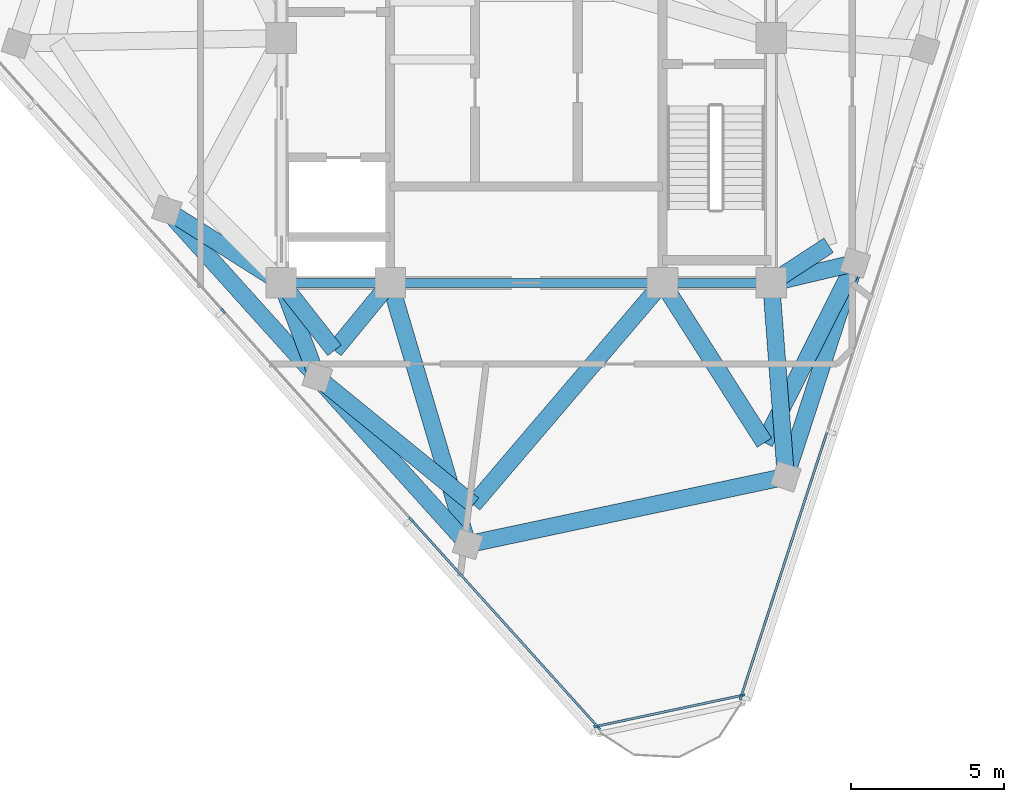
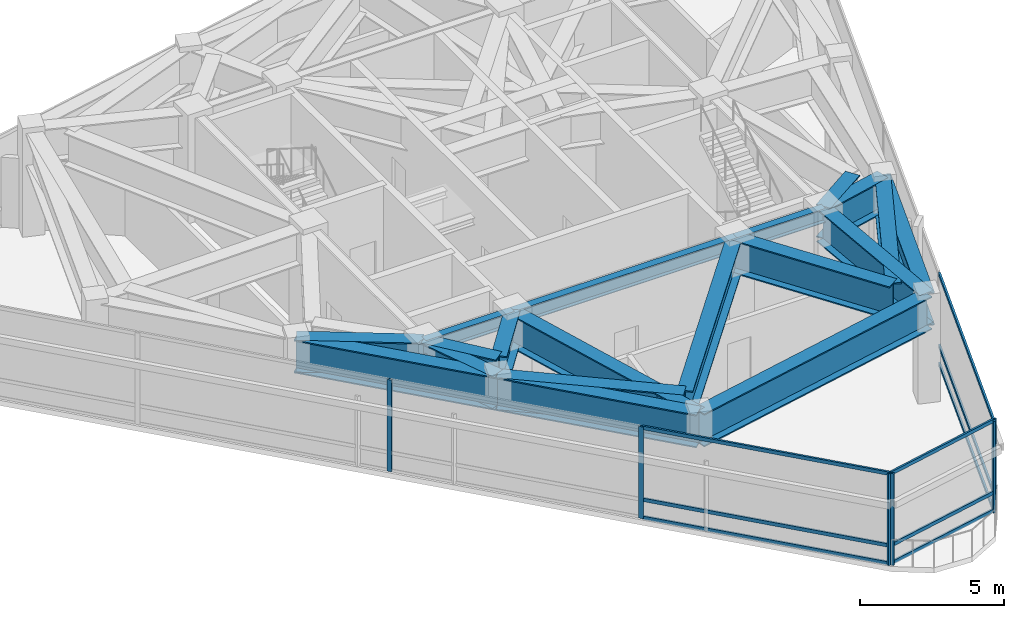
# One storey, part 2 of 10: 19 beams, 15 members, 3 elements without a shape of their own.
"""IFC4 building model written with IfcOpenShell, lengths in metres."""

from ifc_helpers import new_model, si_unit, direction, frame, origin, origin_2d, place, context, subcontext, project, spatial, rectangle, i_section, extrude, material, layer, layer_set, material_profile, profile_set, type_object, element, aggregate, save


model = new_model("IFC4")

# Units and contexts
model_context = context("Model", 3, precision=1e-05, world=origin(), true_north=direction((0.0, 1.0)))
body_context = subcontext(model_context, "Body", "Model", "MODEL_VIEW")
ifc_project = project(units=[si_unit("LENGTHUNIT", "METRE"), si_unit("AREAUNIT", "SQUARE_METRE"), si_unit("VOLUMEUNIT", "CUBIC_METRE"), si_unit("PLANEANGLEUNIT", "RADIAN"), si_unit("MASSUNIT", "GRAM", prefix="KILO")], contexts=[model_context])

# Site, building, storey
site_placement = place(None, origin())
site = spatial("IfcSite", under=ifc_project, at=site_placement, CompositionType="ELEMENT")
building_placement = place(site_placement, origin())
building = spatial("IfcBuilding", under=site, at=building_placement, Name="Terralouvre Media Tower", CompositionType="ELEMENT")
storey_placement = place(building_placement, frame((0.0, 0.0, 317.39990234375)))
storey = spatial("IfcBuildingStorey", under=building, at=storey_placement, Name="L82", CompositionType="ELEMENT", Elevation=317.39990234375)

# Curtain wall, members
ifc_material_1 = material(Name="Low-iron laminated double glazing with solar-control coating", Category="glass")
ifc_layer_1 = layer(ifc_material_1, 0.1650390625, Name="Faceted Glass-Point Crown Curtain Wall CW-06")
ifc_layer_set_1 = layer_set([ifc_layer_1], Name="Low-iron laminated double glazing with solar-control coating")
curtain_wall_type_1 = type_object("IfcCurtainWallType", Name="Faceted Glass-Point Crown Curtain Wall CW-06", PredefinedType="NOTDEFINED", material=ifc_layer_set_1)
curtain_wall_1_placement = place(storey_placement, origin())
curtain_wall_1 = element("IfcCurtainWall", 1, at=curtain_wall_1_placement, inside=storey, type_object=curtain_wall_type_1, Name="L82 Facade Curtain Wall F0", PredefinedType="NOTDEFINED")
ifc_material_2 = material(Name="Anodised extruded aluminium 6063-T6", Category="aluminium")
ifc_material_profile_1 = material_profile(ifc_material_2, rectangle(XDim=0.074951171875, YDim=0.14990234375, at=origin_2d()), Name="ALU 75x150")
ifc_profile_set_1 = profile_set([ifc_material_profile_1], Name="Anodised extruded aluminium 6063-T6")
member_type_1 = type_object("IfcMemberType", Name="Curtain-Wall Horizontal Transom TR-150", PredefinedType="USERDEFINED", material=ifc_profile_set_1)
member_1_placement = place(storey_placement, frame((7.02490234375, -21.498046875, 0.03759765625), z_axis=(0.309025765683, 0.95105366628, 0.0), x_axis=(-0.95105366628, 0.309025765683, 0.0)))
member_1 = element("IfcMember", 2, at=member_1_placement, type_object=member_type_1, Name="CW-06 transom 1.1", ObjectType="TRANSOM", PredefinedType="USERDEFINED", context=body_context, shape_type="SweptSolid", body=[
    extrude(rectangle(XDim=0.074951171875, YDim=0.14990234375, at=origin_2d()), origin(), (0.0, 0.0, 1.0), 9.0625),
])
member_2_placement = place(storey_placement, frame((7.02490234375, -21.498046875, 0.800048828125), z_axis=(0.309025765683, 0.95105366628, 0.0), x_axis=(-0.95105366628, 0.309025765683, 0.0)))
member_2 = element("IfcMember", 3, at=member_2_placement, type_object=member_type_1, Name="CW-06 transom 1.2", ObjectType="TRANSOM", PredefinedType="USERDEFINED", context=body_context, shape_type="SweptSolid", body=[
    extrude(rectangle(XDim=0.074951171875, YDim=0.14990234375, at=origin_2d()), origin(), (0.0, 0.0, 1.0), 9.0625),
])
member_3_placement = place(storey_placement, frame((7.02490234375, -21.498046875, 3.842529296875), z_axis=(0.309025765683, 0.95105366628, 0.0), x_axis=(-0.95105366628, 0.309025765683, 0.0)))
member_3 = element("IfcMember", 4, at=member_3_placement, type_object=member_type_1, Name="CW-06 transom 1.3", ObjectType="TRANSOM", PredefinedType="USERDEFINED", context=body_context, shape_type="SweptSolid", body=[
    extrude(rectangle(XDim=0.074951171875, YDim=0.14990234375, at=origin_2d()), origin(), (0.0, 0.0, 1.0), 9.0625),
])

curtain_wall_2_placement = place(storey_placement, origin())
curtain_wall_2 = element("IfcCurtainWall", 5, at=curtain_wall_2_placement, inside=storey, type_object=curtain_wall_type_1, Name="L82 Facade Curtain Wall F2", PredefinedType="NOTDEFINED")
member_4_placement = place(storey_placement, frame((-3.737548828125, -15.761962890625, 0.03759765625), z_axis=(0.669122483598, -0.743152139163, 0.0), x_axis=(0.743152139163, 0.669122483598, 0.0)))
member_4 = element("IfcMember", 6, at=member_4_placement, type_object=member_type_1, Name="CW-06 transom 4.1", ObjectType="TRANSOM", PredefinedType="USERDEFINED", context=body_context, shape_type="SweptSolid", body=[
    extrude(rectangle(XDim=0.074951171875, YDim=0.14990234375, at=origin_2d()), origin(), (0.0, 0.0, 1.0), 9.0625),
])
member_5_placement = place(storey_placement, frame((-3.737548828125, -15.761962890625, 0.800048828125), z_axis=(0.669122483598, -0.743152139163, 0.0), x_axis=(0.743152139163, 0.669122483598, 0.0)))
member_5 = element("IfcMember", 7, at=member_5_placement, type_object=member_type_1, Name="CW-06 transom 4.2", ObjectType="TRANSOM", PredefinedType="USERDEFINED", context=body_context, shape_type="SweptSolid", body=[
    extrude(rectangle(XDim=0.074951171875, YDim=0.14990234375, at=origin_2d()), origin(), (0.0, 0.0, 1.0), 9.0625),
])
member_6_placement = place(storey_placement, frame((-3.737548828125, -15.761962890625, 3.842529296875), z_axis=(0.669122483598, -0.743152139163, 0.0), x_axis=(0.743152139163, 0.669122483598, 0.0)))
member_6 = element("IfcMember", 8, at=member_6_placement, type_object=member_type_1, Name="CW-06 transom 4.3", ObjectType="TRANSOM", PredefinedType="USERDEFINED", context=body_context, shape_type="SweptSolid", body=[
    extrude(rectangle(XDim=0.074951171875, YDim=0.14990234375, at=origin_2d()), origin(), (0.0, 0.0, 1.0), 9.0625),
])

ifc_material_3 = material(Name="Low-iron laminated double glazing with solar-control coating", Category="glass")
ifc_layer_2 = layer(ifc_material_3, 0.1650390625, Name="Rounded Wind-Corner Curved Glazing CW-04")
ifc_layer_set_2 = layer_set([ifc_layer_2], Name="Low-iron laminated double glazing with solar-control coating")
curtain_wall_type_2 = type_object("IfcCurtainWallType", Name="Rounded Wind-Corner Curved Glazing CW-04", PredefinedType="NOTDEFINED", material=ifc_layer_set_2)
curtain_wall_3_placement = place(storey_placement, origin())
curtain_wall_3 = element("IfcCurtainWall", 9, at=curtain_wall_3_placement, inside=storey, type_object=curtain_wall_type_2, Name="L82 Rounded Wind-Corner Curtain Wall C0", PredefinedType="NOTDEFINED")
member_7_placement = place(storey_placement, frame((2.331787109375, -22.480224609375, 0.03759765625), z_axis=(0.978147441256, 0.207912441101, 0.0), x_axis=(-0.207912441101, 0.978147441256, 0.0)))
member_7 = element("IfcMember", 10, at=member_7_placement, type_object=member_type_1, Name="CW-04 transom 1.1", ObjectType="TRANSOM", PredefinedType="USERDEFINED", context=body_context, shape_type="SweptSolid", body=[
    extrude(rectangle(XDim=0.074951171875, YDim=0.14990234375, at=origin_2d()), origin(), (0.0, 0.0, 1.0), 4.7861328125),
])
member_8_placement = place(storey_placement, frame((2.331787109375, -22.480224609375, 0.800048828125), z_axis=(0.978147441256, 0.207912441101, 0.0), x_axis=(-0.207912441101, 0.978147441256, 0.0)))
member_8 = element("IfcMember", 11, at=member_8_placement, type_object=member_type_1, Name="CW-04 transom 1.2", ObjectType="TRANSOM", PredefinedType="USERDEFINED", context=body_context, shape_type="SweptSolid", body=[
    extrude(rectangle(XDim=0.074951171875, YDim=0.14990234375, at=origin_2d()), origin(), (0.0, 0.0, 1.0), 4.7861328125),
])
member_9_placement = place(storey_placement, frame((2.331787109375, -22.480224609375, 3.842529296875), z_axis=(0.978147441256, 0.207912441101, 0.0), x_axis=(-0.207912441101, 0.978147441256, 0.0)))
member_9 = element("IfcMember", 12, at=member_9_placement, type_object=member_type_1, Name="CW-04 transom 1.3", ObjectType="TRANSOM", PredefinedType="USERDEFINED", context=body_context, shape_type="SweptSolid", body=[
    extrude(rectangle(XDim=0.074951171875, YDim=0.14990234375, at=origin_2d()), origin(), (0.0, 0.0, 1.0), 4.7861328125),
])

# Member
ifc_material_4 = material(Name="Anodised extruded aluminium 6063-T6", Category="aluminium")
ifc_material_profile_2 = material_profile(ifc_material_4, rectangle(XDim=0.074951171875, YDim=0.179931640625, at=origin_2d()), Name="ALU 75x180")
ifc_profile_set_2 = profile_set([ifc_material_profile_2], Name="Anodised extruded aluminium 6063-T6")
member_type_2 = type_object("IfcMemberType", Name="Curtain-Wall Vertical Mullion ML-180", PredefinedType="MULLION", material=ifc_profile_set_2)
member_10_placement = place(storey_placement, frame((7.013427734375, -21.53369140625, 0.0), z_axis=(0.0, 0.0, 1.0), x_axis=(-0.951056481023, 0.309017102933, 0.0)))
member_10 = element("IfcMember", 13, at=member_10_placement, type_object=member_type_2, Name="CW-06 mullion 1", PredefinedType="MULLION", context=body_context, shape_type="SweptSolid", body=[
    extrude(rectangle(XDim=0.074951171875, YDim=0.179931640625, at=origin_2d()), origin(), (0.0, 0.0, 1.0), 3.880126953125),
])

aggregate(curtain_wall_1, [member_10, member_1, member_2, member_3])

member_11_placement = place(storey_placement, frame((-9.90185546875, -8.915771484375, 0.0), z_axis=(0.0, 0.0, 1.0), x_axis=(0.743144929393, 0.669130490949, 0.0)))
member_11 = element("IfcMember", 14, at=member_11_placement, type_object=member_type_2, Name="CW-06 mullion 3", PredefinedType="MULLION", context=body_context, shape_type="SweptSolid", body=[
    extrude(rectangle(XDim=0.074951171875, YDim=0.179931640625, at=origin_2d()), origin(), (0.0, 0.0, 1.0), 3.880126953125),
])

member_12_placement = place(storey_placement, frame((-3.7626953125, -15.734130859375, 0.0), z_axis=(0.0, 0.0, 1.0), x_axis=(0.743144929393, 0.669130490949, 0.0)))
member_12 = element("IfcMember", 15, at=member_12_placement, type_object=member_type_2, Name="CW-06 mullion 4", PredefinedType="MULLION", context=body_context, shape_type="SweptSolid", body=[
    extrude(rectangle(XDim=0.074951171875, YDim=0.179931640625, at=origin_2d()), origin(), (0.0, 0.0, 1.0), 3.880126953125),
])

member_13_placement = place(storey_placement, frame((2.3515625, -22.524658203125, 0.0), z_axis=(0.0, 0.0, 1.0), x_axis=(0.743144929393, 0.669130490949, 0.0)))
member_13 = element("IfcMember", 16, at=member_13_placement, type_object=member_type_2, Name="CW-06 mullion 5", PredefinedType="MULLION", context=body_context, shape_type="SweptSolid", body=[
    extrude(rectangle(XDim=0.074951171875, YDim=0.179931640625, at=origin_2d()), origin(), (0.0, 0.0, 1.0), 3.880126953125),
])

aggregate(curtain_wall_2, [member_11, member_12, member_13, member_4, member_5, member_6])

member_14_placement = place(storey_placement, frame((2.294921875, -22.488037109375, 0.0), z_axis=(0.0, 0.0, 1.0), x_axis=(-0.207911112968, 0.978147723559, 0.0)))
member_14 = element("IfcMember", 17, at=member_14_placement, type_object=member_type_2, Name="CW-04 mullion 1", PredefinedType="MULLION", context=body_context, shape_type="SweptSolid", body=[
    extrude(rectangle(XDim=0.074951171875, YDim=0.179931640625, at=origin_2d()), origin(), (0.0, 0.0, 1.0), 3.880126953125),
])

member_15_placement = place(storey_placement, frame((7.050048828125, -21.477294921875, 0.0), z_axis=(0.0, 0.0, 1.0), x_axis=(-0.207911112968, 0.978147723559, 0.0)))
member_15 = element("IfcMember", 18, at=member_15_placement, type_object=member_type_2, Name="CW-04 mullion 2", PredefinedType="MULLION", context=body_context, shape_type="SweptSolid", body=[
    extrude(rectangle(XDim=0.074951171875, YDim=0.179931640625, at=origin_2d()), origin(), (0.0, 0.0, 1.0), 3.880126953125),
])

aggregate(curtain_wall_3, [member_14, member_15, member_7, member_8, member_9])

# Beams
ifc_material_5 = material(Name="Structural steel S460M", Category="steel")
ifc_material_profile_3 = material_profile(ifc_material_5, i_section(OverallWidth=0.300048828125, OverallDepth=0.60009765625, WebThickness=0.015380859375, FlangeThickness=0.030029296875, at=origin_2d()), Name="HEB 600")
ifc_profile_set_3 = profile_set([ifc_material_profile_3], Name="Structural steel S460M")
beam_type_1 = type_object("IfcBeamType", Name="Primary Floor Girder B-HEB600 (HEB 600)", PredefinedType="BEAM", material=ifc_profile_set_3)
beam_1_placement = place(storey_placement, frame((-8.0, -8.0, 4.080078125), z_axis=(1.0, 0.0, 0.0), x_axis=(0.0, 1.0, 0.0)))
element("IfcBeam", 19, at=beam_1_placement, inside=storey, type_object=beam_type_1, Name="L82 Framing Beam BM-L82-CPR01", PredefinedType="BEAM", context=body_context, shape_type="SweptSolid", body=[
    extrude(i_section(OverallWidth=0.300048828125, OverallDepth=0.60009765625, WebThickness=0.015380859375, FlangeThickness=0.030029296875, at=origin_2d()), origin(), (0.0, 0.0, 1.0), 3.550048828125),
])
beam_2_placement = place(storey_placement, frame((-4.449951171875, -8.0, 4.080078125), z_axis=(1.0, 0.0, 0.0), x_axis=(0.0, 1.0, 0.0)))
element("IfcBeam", 20, at=beam_2_placement, inside=storey, type_object=beam_type_1, Name="L82 Framing Beam BM-L82-CPR02", PredefinedType="BEAM", context=body_context, shape_type="SweptSolid", body=[
    extrude(i_section(OverallWidth=0.300048828125, OverallDepth=0.60009765625, WebThickness=0.015380859375, FlangeThickness=0.030029296875, at=origin_2d()), origin(), (0.0, 0.0, 1.0), 8.89990234375),
])
beam_3_placement = place(storey_placement, frame((4.449951171875, -8.0, 4.080078125), z_axis=(1.0, 0.0, 0.0), x_axis=(0.0, 1.0, 0.0)))
element("IfcBeam", 21, at=beam_3_placement, inside=storey, type_object=beam_type_1, Name="L82 Framing Beam BM-L82-CPR03", PredefinedType="BEAM", context=body_context, shape_type="SweptSolid", body=[
    extrude(i_section(OverallWidth=0.300048828125, OverallDepth=0.60009765625, WebThickness=0.015380859375, FlangeThickness=0.030029296875, at=origin_2d()), origin(), (0.0, 0.0, 1.0), 3.550048828125),
])
ifc_material_6 = material(Name="Structural steel S460M", Category="steel")
ifc_material_profile_4 = material_profile(ifc_material_6, i_section(OverallWidth=0.56005859375, OverallDepth=1.39990234375, WebThickness=0.031982421875, FlangeThickness=0.050048828125, at=origin_2d()), Name="TG 1400x560")
ifc_profile_set_4 = profile_set([ifc_material_profile_4], Name="Structural steel S460M")
beam_type_2 = type_object("IfcBeamType", Name="Welded Transfer Girder TG-1400 (TG 1400x560)", PredefinedType="USERDEFINED", material=ifc_profile_set_4)
beam_4_placement = place(storey_placement, frame((-11.74072265625, -5.633056640625, 3.68017578125), z_axis=(0.669133781374, -0.743141966668, 0.0), x_axis=(0.743141966668, 0.669133781374, 0.0)))
element("IfcBeam", 22, at=beam_4_placement, inside=storey, type_object=beam_type_2, Name="L82 Framing Beam BM-L82-PR02", ObjectType="TRANSFER GIRDER", PredefinedType="USERDEFINED", context=body_context, shape_type="SweptSolid", body=[
    extrude(i_section(OverallWidth=0.56005859375, OverallDepth=1.39990234375, WebThickness=0.031982421875, FlangeThickness=0.050048828125, at=origin_2d()), origin(), (0.0, 0.0, 1.0), 7.33984375),
])
beam_5_placement = place(storey_placement, frame((-6.829345703125, -11.087646484375, 3.68017578125), z_axis=(0.669117241656, -0.743156858892, 0.0), x_axis=(0.743156858892, 0.669117241656, 0.0)))
element("IfcBeam", 23, at=beam_5_placement, inside=storey, type_object=beam_type_2, Name="L82 Framing Beam BM-L82-PR03", ObjectType="TRANSFER GIRDER", PredefinedType="USERDEFINED", context=body_context, shape_type="SweptSolid", body=[
    extrude(i_section(OverallWidth=0.56005859375, OverallDepth=1.39990234375, WebThickness=0.031982421875, FlangeThickness=0.050048828125, at=origin_2d()), origin(), (0.0, 0.0, 1.0), 7.340087890625),
])
beam_6_placement = place(storey_placement, frame((-1.91796875, -16.54248046875, 3.68017578125), z_axis=(0.978143906608, 0.207929069554, 0.0), x_axis=(-0.207929069554, 0.978143906608, 0.0)))
element("IfcBeam", 24, at=beam_6_placement, inside=storey, type_object=beam_type_2, Name="L82 Framing Beam BM-L82-PR04", ObjectType="TRANSFER GIRDER", PredefinedType="USERDEFINED", context=body_context, shape_type="SweptSolid", body=[
    extrude(i_section(OverallWidth=0.56005859375, OverallDepth=1.39990234375, WebThickness=0.031982421875, FlangeThickness=0.050048828125, at=origin_2d()), origin(), (0.0, 0.0, 1.0), 10.630859375),
])
beam_7_placement = place(storey_placement, frame((8.48046875, -14.33203125, 3.68017578125), z_axis=(0.309034176903, 0.951050933182, 0.0), x_axis=(-0.951050933182, 0.309034176903, 0.0)))
element("IfcBeam", 25, at=beam_7_placement, inside=storey, type_object=beam_type_2, Name="L82 Framing Beam BM-L82-PR05", ObjectType="TRANSFER GIRDER", PredefinedType="USERDEFINED", context=body_context, shape_type="SweptSolid", body=[
    extrude(i_section(OverallWidth=0.56005859375, OverallDepth=1.39990234375, WebThickness=0.031982421875, FlangeThickness=0.050048828125, at=origin_2d()), origin(), (0.0, 0.0, 1.0), 7.340087890625),
])
beam_8_placement = place(storey_placement, frame((-8.0, -8.0, 3.68017578125), z_axis=(-0.845041710462, 0.53470039048, 0.0), x_axis=(-0.53470039048, -0.845041710462, 0.0)))
element("IfcBeam", 26, at=beam_8_placement, inside=storey, type_object=beam_type_2, Name="L82 Framing Beam BM-L82-RD02", ObjectType="TRANSFER GIRDER", PredefinedType="USERDEFINED", context=body_context, shape_type="SweptSolid", body=[
    extrude(i_section(OverallWidth=0.56005859375, OverallDepth=1.39990234375, WebThickness=0.031982421875, FlangeThickness=0.050048828125, at=origin_2d()), origin(), (0.0, 0.0, 1.0), 4.4267578125),
])
beam_9_placement = place(storey_placement, frame((-8.0, -8.0, 3.68017578125), z_axis=(0.35451604493, -0.935049931227, 0.0), x_axis=(0.935049931227, 0.35451604493, 0.0)))
element("IfcBeam", 27, at=beam_9_placement, inside=storey, type_object=beam_type_2, Name="L82 Framing Beam BM-L82-RD03", ObjectType="TRANSFER GIRDER", PredefinedType="USERDEFINED", context=body_context, shape_type="SweptSolid", body=[
    extrude(i_section(OverallWidth=0.56005859375, OverallDepth=1.39990234375, WebThickness=0.031982421875, FlangeThickness=0.050048828125, at=origin_2d()), origin(), (0.0, 0.0, 1.0), 3.302001953125),
])
beam_10_placement = place(storey_placement, frame((-4.449951171875, -8.0, 3.68017578125), z_axis=(0.284178825261, -0.95877129456, 0.0), x_axis=(0.95877129456, 0.284178825261, 0.0)))
element("IfcBeam", 28, at=beam_10_placement, inside=storey, type_object=beam_type_2, Name="L82 Framing Beam BM-L82-RD04", ObjectType="TRANSFER GIRDER", PredefinedType="USERDEFINED", context=body_context, shape_type="SweptSolid", body=[
    extrude(i_section(OverallWidth=0.56005859375, OverallDepth=1.39990234375, WebThickness=0.031982421875, FlangeThickness=0.050048828125, at=origin_2d()), origin(), (0.0, 0.0, 1.0), 8.909912109375),
])
beam_11_placement = place(storey_placement, frame((8.0, -8.0, 3.68017578125), z_axis=(0.075661583687, -0.997133554121, 0.0), x_axis=(0.997133554121, 0.075661583687, 0.0)))
element("IfcBeam", 29, at=beam_11_placement, inside=storey, type_object=beam_type_2, Name="L82 Framing Beam BM-L82-RD05", ObjectType="TRANSFER GIRDER", PredefinedType="USERDEFINED", context=body_context, shape_type="SweptSolid", body=[
    extrude(i_section(OverallWidth=0.56005859375, OverallDepth=1.39990234375, WebThickness=0.031982421875, FlangeThickness=0.050048828125, at=origin_2d()), origin(), (0.0, 0.0, 1.0), 6.350341796875),
])
beam_12_placement = place(storey_placement, frame((8.0, -8.0, 3.68017578125), z_axis=(0.973266177451, 0.229680098898, 0.0), x_axis=(-0.229680098898, 0.973266177451, 0.0)))
element("IfcBeam", 30, at=beam_12_placement, inside=storey, type_object=beam_type_2, Name="L82 Framing Beam BM-L82-RD06", ObjectType="TRANSFER GIRDER", PredefinedType="USERDEFINED", context=body_context, shape_type="SweptSolid", body=[
    extrude(i_section(OverallWidth=0.56005859375, OverallDepth=1.39990234375, WebThickness=0.031982421875, FlangeThickness=0.050048828125, at=origin_2d()), origin(), (0.0, 0.0, 1.0), 2.82421875),
])
beam_13_placement = place(storey_placement, frame((7.78125, -13.2216796875, 3.68017578125), z_axis=(-0.537841778025, 0.843045800542, 0.0), x_axis=(-0.843045800542, -0.537841778025, 0.0)))
element("IfcBeam", 31, at=beam_13_placement, inside=storey, type_object=beam_type_2, Name="L82 Framing Beam BM-L82-TR01S1", ObjectType="TRANSFER GIRDER", PredefinedType="USERDEFINED", context=body_context, shape_type="SweptSolid", body=[
    extrude(i_section(OverallWidth=0.56005859375, OverallDepth=1.39990234375, WebThickness=0.031982421875, FlangeThickness=0.050048828125, at=origin_2d()), origin(), (0.0, 0.0, 1.0), 6.19384765625),
])
beam_14_placement = place(storey_placement, frame((7.78125, -13.2216796875, 3.68017578125), z_axis=(0.451143552635, 0.892451396389, 0.0), x_axis=(-0.892451396389, 0.451143552635, 0.0)))
element("IfcBeam", 32, at=beam_14_placement, inside=storey, type_object=beam_type_2, Name="L82 Framing Beam BM-L82-TR01S2", ObjectType="TRANSFER GIRDER", PredefinedType="USERDEFINED", context=body_context, shape_type="SweptSolid", body=[
    extrude(i_section(OverallWidth=0.56005859375, OverallDepth=1.39990234375, WebThickness=0.031982421875, FlangeThickness=0.050048828125, at=origin_2d()), origin(), (0.0, 0.0, 1.0), 6.577880859375),
])
beam_15_placement = place(storey_placement, frame((9.87646484375, -6.7734375, 3.68017578125), z_axis=(-0.837042510711, -0.547137857639, 0.0), x_axis=(0.547137857639, -0.837042510711, 0.0)))
element("IfcBeam", 33, at=beam_15_placement, inside=storey, type_object=beam_type_2, Name="L82 Framing Beam BM-L82-TR02S1", ObjectType="TRANSFER GIRDER", PredefinedType="USERDEFINED", context=body_context, shape_type="SweptSolid", body=[
    extrude(i_section(OverallWidth=0.56005859375, OverallDepth=1.39990234375, WebThickness=0.031982421875, FlangeThickness=0.050048828125, at=origin_2d()), origin(), (0.0, 0.0, 1.0), 2.24169921875),
])
beam_16_placement = place(storey_placement, frame((-6.267578125, -10.205078125, 3.68017578125), z_axis=(-0.617790791441, 0.786342506806, 0.0), x_axis=(-0.786342506806, -0.617790791441, 0.0)))
element("IfcBeam", 34, at=beam_16_placement, inside=storey, type_object=beam_type_2, Name="L82 Framing Beam BM-L82-TR11S1", ObjectType="TRANSFER GIRDER", PredefinedType="USERDEFINED", context=body_context, shape_type="SweptSolid", body=[
    extrude(i_section(OverallWidth=0.56005859375, OverallDepth=1.39990234375, WebThickness=0.031982421875, FlangeThickness=0.050048828125, at=origin_2d()), origin(), (0.0, 0.0, 1.0), 2.80419921875),
])
beam_17_placement = place(storey_placement, frame((-6.267578125, -10.205078125, 3.68017578125), z_axis=(0.636057555641, 0.771641617535, 0.0), x_axis=(-0.771641617535, 0.636057555641, 0.0)))
element("IfcBeam", 35, at=beam_17_placement, inside=storey, type_object=beam_type_2, Name="L82 Framing Beam BM-L82-TR11S2", ObjectType="TRANSFER GIRDER", PredefinedType="USERDEFINED", context=body_context, shape_type="SweptSolid", body=[
    extrude(i_section(OverallWidth=0.56005859375, OverallDepth=1.39990234375, WebThickness=0.031982421875, FlangeThickness=0.050048828125, at=origin_2d()), origin(), (0.0, 0.0, 1.0), 2.857666015625),
])
beam_18_placement = place(storey_placement, frame((-1.730712890625, -15.243408203125, 3.68017578125), z_axis=(-0.77513669292, 0.631793563823, 0.0), x_axis=(-0.631793563823, -0.77513669292, 0.0)))
element("IfcBeam", 36, at=beam_18_placement, inside=storey, type_object=beam_type_2, Name="L82 Framing Beam BM-L82-TR12S1", ObjectType="TRANSFER GIRDER", PredefinedType="USERDEFINED", context=body_context, shape_type="SweptSolid", body=[
    extrude(i_section(OverallWidth=0.56005859375, OverallDepth=1.39990234375, WebThickness=0.031982421875, FlangeThickness=0.050048828125, at=origin_2d()), origin(), (0.0, 0.0, 1.0), 6.57763671875),
])
beam_19_placement = place(storey_placement, frame((-1.730712890625, -15.243408203125, 3.68017578125), z_axis=(0.649096323589, 0.760706226282, 0.0), x_axis=(-0.760706226282, 0.649096323589, 0.0)))
element("IfcBeam", 37, at=beam_19_placement, inside=storey, type_object=beam_type_2, Name="L82 Framing Beam BM-L82-TR12S2", ObjectType="TRANSFER GIRDER", PredefinedType="USERDEFINED", context=body_context, shape_type="SweptSolid", body=[
    extrude(i_section(OverallWidth=0.56005859375, OverallDepth=1.39990234375, WebThickness=0.031982421875, FlangeThickness=0.050048828125, at=origin_2d()), origin(), (0.0, 0.0, 1.0), 9.52197265625),
])

save(model, "model.ifc")
